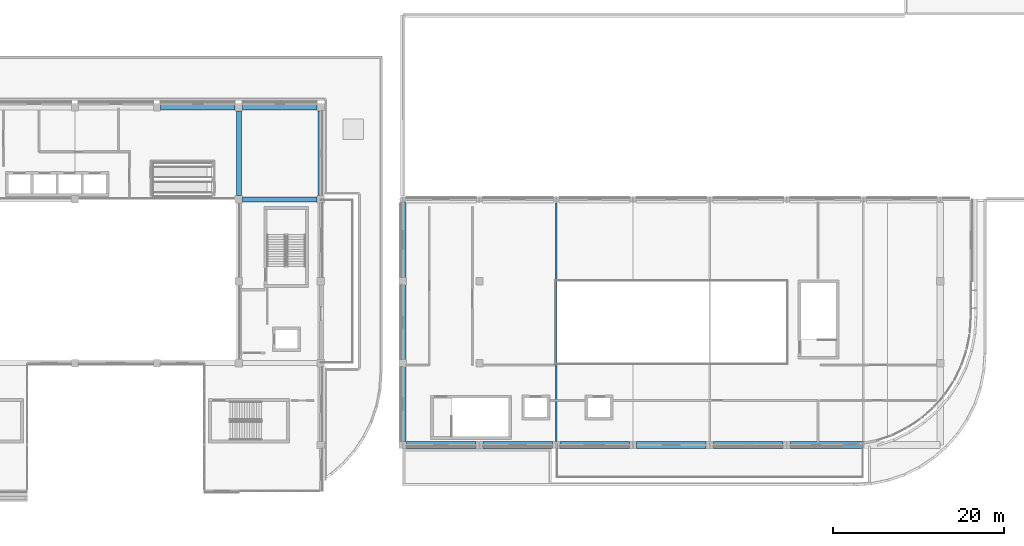
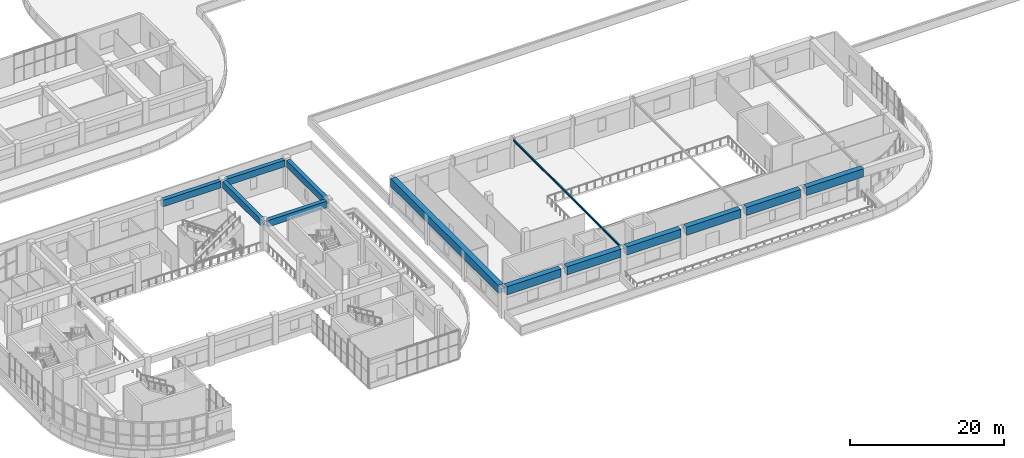
# One storey, part 9 of 67: 12 beams, 1 member.
"""IFC4 building model written with IfcOpenShell, lengths in metres."""

import ifcopenshell
import ifcopenshell.guid

model = None  # the IFC model being written
_history = None  # IfcOwnerHistory: only IFC2X3 demands one
_inside = {}  # id of a spatial element -> (the spatial element, [elements in it])
_under = {}  # id of a project, library or spatial element -> (it, [spatial elements below it])
_declared = {}  # id of a project -> (the project, [libraries it declares])
_typed = {}  # id of a type object -> (the type object, [elements of that type])
_made_of = {}  # id of a material, layer set ... -> (it, [elements and type objects made of it])


def new_model(schema):
    """Start an empty IFC model of exactly this schema.

    Asked for "IFC4X3", IfcOpenShell would pick the latest addendum, in which some entities
    have other attributes; the version numbers below select the first issue.
    IFC2X3 requires an IfcOwnerHistory on every rooted entity: one is made here for all.
    """
    global model, _history
    if schema == "IFC4X3":
        model = ifcopenshell.file(schema_version=(4, 3, 0, 0))
    else:
        model = ifcopenshell.file(schema=schema)
    _inside.clear()
    _under.clear()
    _declared.clear()
    _typed.clear()
    _made_of.clear()
    _history = None
    if model.schema == "IFC2X3":
        org = make("IfcOrganization", Name="unknown")
        user = make(
            "IfcPersonAndOrganization",
            ThePerson=make("IfcPerson", FamilyName="unknown"),
            TheOrganization=org,
        )
        app = make(
            "IfcApplication",
            ApplicationDeveloper=org,
            Version="unknown",
            ApplicationFullName="unknown",
            ApplicationIdentifier="unknown",
        )
        _history = make(
            "IfcOwnerHistory",
            OwningUser=user,
            OwningApplication=app,
            ChangeAction="ADDED",
            CreationDate=0,
        )
    return model


def make(cls, **values):
    """One entity of the class cls with the attributes given. An attribute that is None is left unset."""
    return model.create_entity(
        cls, **{name: value for name, value in values.items() if value is not None}
    )


def rooted(cls, **values):
    """An entity with a GlobalId (a new one), such as an element, a storey or a relation."""
    return make(cls, GlobalId=ifcopenshell.guid.new(), OwnerHistory=_history, **values)


def si_unit(unit_type, name, prefix=None):
    """IfcSIUnit, for example si_unit("LENGTHUNIT", "METRE", prefix="MILLI")."""
    return make("IfcSIUnit", UnitType=unit_type, Prefix=prefix, Name=name)


def assignment(units):
    """IfcUnitAssignment: the units of a project."""
    return None if units is None else make("IfcUnitAssignment", Units=units)


def point(xyz):
    """IfcCartesianPoint."""
    return None if xyz is None else make("IfcCartesianPoint", Coordinates=xyz)


def direction(xyz):
    """IfcDirection."""
    return None if xyz is None else make("IfcDirection", DirectionRatios=xyz)


def frame(location, z_axis=None, x_axis=None):
    """IfcAxis2Placement3D, a coordinate frame: its origin and axes. An axis left out is left unset."""
    return make(
        "IfcAxis2Placement3D",
        Location=point(location),
        Axis=direction(z_axis),
        RefDirection=direction(x_axis),
    )


def frame_2d(location, x_axis=None):
    """IfcAxis2Placement2D, a coordinate frame in the plane: its origin and x axis."""
    return make(
        "IfcAxis2Placement2D", Location=point(location), RefDirection=direction(x_axis)
    )


def origin():
    """The frame at (0, 0, 0) with its axes left unset."""
    return frame((0.0, 0.0, 0.0))


def origin_2d():
    """The frame at (0, 0) in the plane with its x axis left unset."""
    return frame_2d((0.0, 0.0))


def place(relative_to, where):
    """IfcLocalPlacement: puts the frame where relative to a parent placement (None: the world)."""
    return make(
        "IfcLocalPlacement", PlacementRelTo=relative_to, RelativePlacement=where
    )


def context(
    kind, dimensions, precision=None, world=None, true_north=None, identifier=None
):
    """IfcGeometricRepresentationContext, for example the 3D "Model" context."""
    return make(
        "IfcGeometricRepresentationContext",
        ContextIdentifier=identifier,
        ContextType=kind,
        CoordinateSpaceDimension=dimensions,
        Precision=precision,
        WorldCoordinateSystem=world,
        TrueNorth=true_north,
    )


def subcontext(parent, identifier, kind, view, scale=None):
    """IfcGeometricRepresentationSubContext, for example "Body" below "Model"."""
    return make(
        "IfcGeometricRepresentationSubContext",
        ContextIdentifier=identifier,
        ContextType=kind,
        ParentContext=parent,
        TargetScale=scale,
        TargetView=view,
    )


def project(units=None, contexts=None):
    """IfcProject with its units and contexts."""
    return rooted(
        "IfcProject",
        Name="project",
        RepresentationContexts=contexts,
        UnitsInContext=assignment(units),
    )


def spatial(cls, under=None, at=None, **own):
    """A site, building, storey or space (cls), placed at a placement, below another one or the project."""
    s = rooted(cls, ObjectPlacement=at, **own)
    if under is not None:
        _under.setdefault(under.id(), (under, []))[1].append(s)
    return s


def profile(cls, at=None, kind="AREA", **sizes):
    """A parametric profile (cls). Its sizes go by their IFC names, for example OverallWidth=200.0."""
    return make(cls, ProfileType=kind, Position=at, **sizes)


def rectangle(**sizes):
    """IfcRectangleProfileDef."""
    return profile("IfcRectangleProfileDef", **sizes)


def i_section(**sizes):
    """IfcIShapeProfileDef."""
    return profile("IfcIShapeProfileDef", **sizes)


def extrude(swept, where, along, depth):
    """IfcExtrudedAreaSolid: the profile swept, set in the frame where, extruded along a direction by depth."""
    return make(
        "IfcExtrudedAreaSolid",
        SweptArea=swept,
        Position=where,
        ExtrudedDirection=direction(along),
        Depth=depth,
    )


def shape(context_of_items, identifier, shape_type, items):
    """IfcShapeRepresentation: the items that make up one representation, for example the "Body"."""
    return make(
        "IfcShapeRepresentation",
        ContextOfItems=context_of_items,
        RepresentationIdentifier=identifier,
        RepresentationType=shape_type,
        Items=items,
    )


def material(Name=None, Category=None):
    """IfcMaterial."""
    return make("IfcMaterial", Name=Name, Category=Category)


def material_profile(
    of_material, cross_section, Name=None, Category=None, Priority=None
):
    """IfcMaterialProfile: a cross section and its material."""
    return make(
        "IfcMaterialProfile",
        Name=Name,
        Material=of_material,
        Profile=cross_section,
        Priority=Priority,
        Category=Category,
    )


def profile_set(profiles, Name=None, composite=None):
    """IfcMaterialProfileSet."""
    return make(
        "IfcMaterialProfileSet",
        Name=Name,
        MaterialProfiles=profiles,
        CompositeProfile=composite,
    )


def made_of(thing, what):
    """Note that an element or type object is made of a material, layer set ...; save() writes the relation."""
    if what is not None:
        _made_of.setdefault(what.id(), (what, []))[1].append(thing)
    return thing


def type_object(cls, material=None, **own):
    """A type object (cls), such as IfcWallType, which elements share."""
    return made_of(rooted(cls, **own), material)


def element(
    cls,
    number,
    at=None,
    inside=None,
    cuts=None,
    type_object=None,
    material=None,
    context=None,
    identifier="Body",
    shape_type=None,
    held_by="IfcProductDefinitionShape",
    body=None,
    shapes=None,
    **own,
):
    """One element of the class cls, such as IfcWall. Its Tag is "e" and its number.

    at: its placement. inside: the storey or other place that contains it. cuts: it is an
    opening in that element (IfcRelVoidsElement). A single representation is given by context,
    identifier, shape_type and body (its items); several are given by shapes. held_by: the class
    of the entity that holds the representations. save() writes the other relations.
    """
    e = rooted(cls, Tag="e%d" % number, ObjectPlacement=at, **own)
    if body is not None:
        shapes = [shape(context, identifier, shape_type, body)]
    if shapes is not None:
        e.Representation = make(held_by, Representations=shapes)
    if inside is not None:
        _inside.setdefault(inside.id(), (inside, []))[1].append(e)
    if cuts is not None:
        rooted(
            "IfcRelVoidsElement", RelatingBuildingElement=cuts, RelatedOpeningElement=e
        )
    if type_object is not None:
        _typed.setdefault(type_object.id(), (type_object, []))[1].append(e)
    return made_of(e, material)


def aggregate(whole, parts):
    """IfcRelAggregates: a whole, such as a stair, and the parts it consists of."""
    return rooted("IfcRelAggregates", RelatingObject=whole, RelatedObjects=parts)


def save(model, path):
    """Write the relations noted so far, then the file.

    IfcRelAggregates (storeys below a building ...), IfcRelContainedInSpatialStructure (elements
    in a storey), IfcRelDefinesByType, IfcRelAssociatesMaterial and IfcRelDeclares: one each for
    every whole, place, type object, material and project.
    """
    for whole, parts in _under.values():
        aggregate(whole, parts)
    for where, things in _inside.values():
        rooted(
            "IfcRelContainedInSpatialStructure",
            RelatedElements=things,
            RelatingStructure=where,
        )
    for kind, things in _typed.values():
        rooted("IfcRelDefinesByType", RelatedObjects=things, RelatingType=kind)
    for what, things in _made_of.values():
        rooted("IfcRelAssociatesMaterial", RelatedObjects=things, RelatingMaterial=what)
    for by, libraries in _declared.values():
        rooted("IfcRelDeclares", RelatingContext=by, RelatedDefinitions=libraries)
    model.write(path)


model = new_model("IFC4")

# Units and contexts
model_context = context("Model", 3, precision=1e-05, world=origin(), true_north=direction((0.0, 1.0)))
body_context = subcontext(model_context, "Body", "Model", "MODEL_VIEW")
ifc_project = project(units=[si_unit("LENGTHUNIT", "METRE"), si_unit("AREAUNIT", "SQUARE_METRE"), si_unit("VOLUMEUNIT", "CUBIC_METRE"), si_unit("PLANEANGLEUNIT", "RADIAN"), si_unit("MASSUNIT", "GRAM", prefix="KILO")], contexts=[model_context])

# Site, building, storey
site_placement = place(None, origin())
site = spatial("IfcSite", under=ifc_project, at=site_placement, CompositionType="ELEMENT")
building_placement = place(site_placement, origin())
building = spatial("IfcBuilding", under=site, at=building_placement, Name="Cendralis Terraced Arcade", CompositionType="ELEMENT")
storey_placement = place(building_placement, frame((0.0, 0.0, 15.0)))
storey = spatial("IfcBuildingStorey", under=building, at=storey_placement, Name="L03", CompositionType="ELEMENT", Elevation=15.0)

# Beams
ifc_material_1 = material(Name="Concrete f'c 35 MPa", Category="concrete")
ifc_material_profile_1 = material_profile(ifc_material_1, rectangle(XDim=0.60009765625, YDim=1.050048828125, at=origin_2d()), Name="RC-BM-600x1050", Category="LoadBearing")
ifc_profile_set_1 = profile_set([ifc_material_profile_1], Name="Concrete f'c 35 MPa")
beam_type_1 = type_object("IfcBeamType", Name="BM-600x1050", PredefinedType="JOIST", material=ifc_profile_set_1)
for number, where, z_axis, x_axis, name in (
    (1, (48.425048828125, 38.39990234375, 3.9951171875), (1.0, 0.0, 0.0), (0.0, 1.0, 0.0), "Reinforced Concrete Frame Beam BM-X-L04-E-6_7"),
    (2, (38.824951171875, 49.199951171875, 3.9951171875), (1.0, 0.0, 0.0), (0.0, 1.0, 0.0), "Reinforced Concrete Frame Beam BM-X-L04-F-5_6"),
    (3, (48.425048828125, 49.199951171875, 3.9951171875), (1.0, 0.0, 0.0), (0.0, 1.0, 0.0), "Reinforced Concrete Frame Beam BM-X-L04-F-6_7"),
):
    element("IfcBeam", number, at=place(storey_placement, frame(where, z_axis=z_axis, x_axis=x_axis)), inside=storey, type_object=beam_type_1, Name=name, PredefinedType="JOIST", context=body_context, shape_type="SweptSolid", body=[
        extrude(rectangle(XDim=0.60009765625, YDim=1.050048828125, at=origin_2d()), origin(), (0.0, 0.0, 1.0), 8.75),
    ])
for number, where, z_axis, x_axis, name in (
    (4, (48.0, 38.824951171875, 3.9951171875), (0.0, 1.0, 0.0), (-1.0, 0.0, 0.0), "Reinforced Concrete Frame Beam BM-Y-L04-6-E_F"),
    (5, (57.60009765625, 38.824951171875, 3.9951171875), (0.0, 1.0, 0.0), (-1.0, 0.0, 0.0), "Reinforced Concrete Frame Beam BM-Y-L04-7-E_F"),
):
    element("IfcBeam", number, at=place(storey_placement, frame(where, z_axis=z_axis, x_axis=x_axis)), inside=storey, type_object=beam_type_1, Name=name, PredefinedType="JOIST", context=body_context, shape_type="SweptSolid", body=[
        extrude(rectangle(XDim=0.60009765625, YDim=1.050048828125, at=origin_2d()), origin(), (0.0, 0.0, 1.0), 9.949951171875),
    ])

# Member
ifc_material_2 = material(Name="Steel ASTM A992 Grade 50", Category="steel")
ifc_material_profile_2 = material_profile(ifc_material_2, i_section(OverallWidth=0.166015625, OverallDepth=0.31298828125, WebThickness=0.006591796875, FlangeThickness=0.01123046875, FilletRadius=0.010009765625, at=origin_2d()), Name="W310X44.5", Category="LoadBearing")
ifc_profile_set_2 = profile_set([ifc_material_profile_2], Name="Steel ASTM A992 Grade 50")
member_type = type_object("IfcMemberType", Name="MEM-TIE-W310", PredefinedType="BRACE", material=ifc_profile_set_2)
member_placement = place(storey_placement, frame((85.199951171875, 10.0, 4.550048828125), z_axis=(0.0, 1.0, 0.0), x_axis=(-1.0, 0.0, 0.0)))
element("IfcMember", 6, at=member_placement, inside=storey, type_object=member_type, Name="Gourmet Food Hall Barrel Vault Tension Tie 03", PredefinedType="BRACE", context=body_context, shape_type="SweptSolid", body=[
    extrude(i_section(OverallWidth=0.166015625, OverallDepth=0.31298828125, WebThickness=0.006591796875, FlangeThickness=0.01123046875, FilletRadius=0.010009765625, at=origin_2d()), origin(), (0.0, 0.0, 1.0), 28.0),
])

# Beams
ifc_material_profile_3 = material_profile(ifc_material_1, rectangle(XDim=0.800048828125, YDim=1.300048828125, at=origin_2d()), Name="RC-RB-800x1300", Category="LoadBearing")
ifc_profile_set_3 = profile_set([ifc_material_profile_3], Name="Concrete f'c 35 MPa")
beam_type_2 = type_object("IfcBeamType", Name="RB-800x1300", PredefinedType="BEAM", material=ifc_profile_set_3)
for number, where, z_axis, x_axis, name in (
    (7, (67.625, 9.60009765625, 4.14990234375), (1.0, 0.0, 0.0), (0.0, 1.0, 0.0), "Gourmet Food Hall Barrel Vault Springing Ring Beam RB-FH-S-01"),
    (8, (76.625, 9.60009765625, 4.14990234375), (1.0, 0.0, 0.0), (0.0, 1.0, 0.0), "Gourmet Food Hall Barrel Vault Springing Ring Beam RB-FH-S-02"),
    (9, (85.625, 9.60009765625, 4.14990234375), (1.0, 0.0, 0.0), (0.0, 1.0, 0.0), "Gourmet Food Hall Barrel Vault Springing Ring Beam RB-FH-S-03"),
    (10, (94.625, 9.60009765625, 4.14990234375), (1.0, 0.0, 0.0), (0.0, 1.0, 0.0), "Gourmet Food Hall Barrel Vault Springing Ring Beam RB-FH-S-04"),
    (11, (103.625, 9.60009765625, 4.14990234375), (1.0, 0.0, 0.0), (0.0, 1.0, 0.0), "Gourmet Food Hall Barrel Vault Springing Ring Beam RB-FH-S-05"),
):
    element("IfcBeam", number, at=place(storey_placement, frame(where, z_axis=z_axis, x_axis=x_axis)), inside=storey, type_object=beam_type_2, Name=name, PredefinedType="BEAM", context=body_context, shape_type="SweptSolid", body=[
        extrude(rectangle(XDim=0.800048828125, YDim=1.300048828125, at=origin_2d()), origin(), (0.0, 0.0, 1.0), 8.14990234375),
    ])
beam_1_placement = place(storey_placement, frame((112.625, 9.60009765625, 4.14990234375), z_axis=(1.0, 0.0, 0.0), x_axis=(0.0, 1.0, 0.0)))
element("IfcBeam", 12, at=beam_1_placement, inside=storey, type_object=beam_type_2, Name="Gourmet Food Hall Barrel Vault Springing Ring Beam RB-FH-S-06", PredefinedType="BEAM", context=body_context, shape_type="SweptSolid", body=[
    extrude(rectangle(XDim=0.800048828125, YDim=1.300048828125, at=origin_2d()), origin(), (0.0, 0.0, 1.0), 8.574951171875),
])
beam_2_placement = place(storey_placement, frame((67.199951171875, 10.02490234375, 4.14990234375), z_axis=(0.0, 1.0, 0.0), x_axis=(-1.0, 0.0, 0.0)))
element("IfcBeam", 13, at=beam_2_placement, inside=storey, type_object=beam_type_2, Name="Gourmet Food Hall Barrel Vault Gable Ring Beam RB-FH-W", PredefinedType="BEAM", context=body_context, shape_type="SweptSolid", body=[
    extrude(rectangle(XDim=0.800048828125, YDim=1.300048828125, at=origin_2d()), origin(), (0.0, 0.0, 1.0), 28.025146484375),
])

save(model, "model.ifc")
